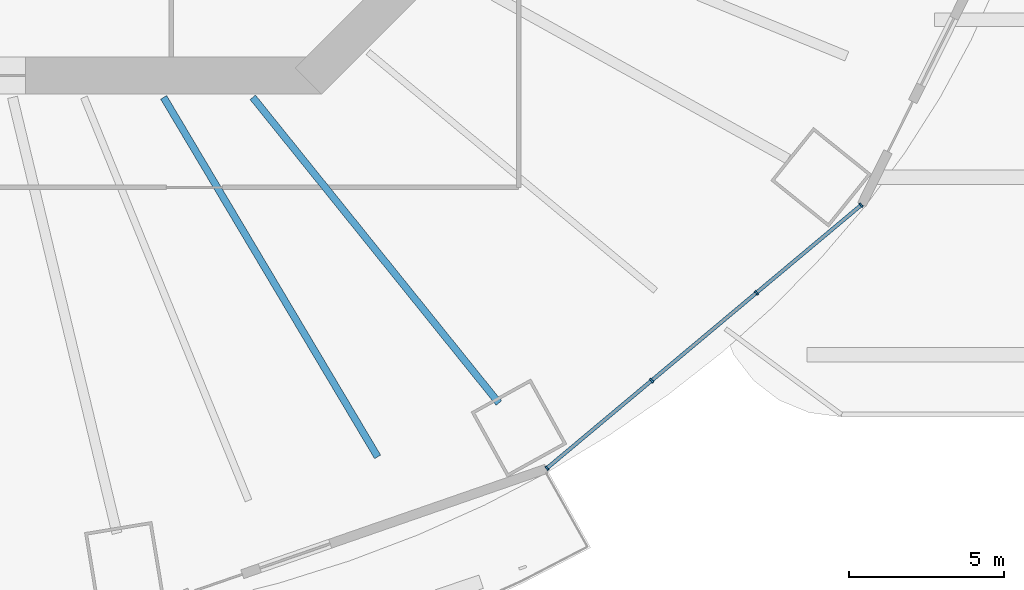
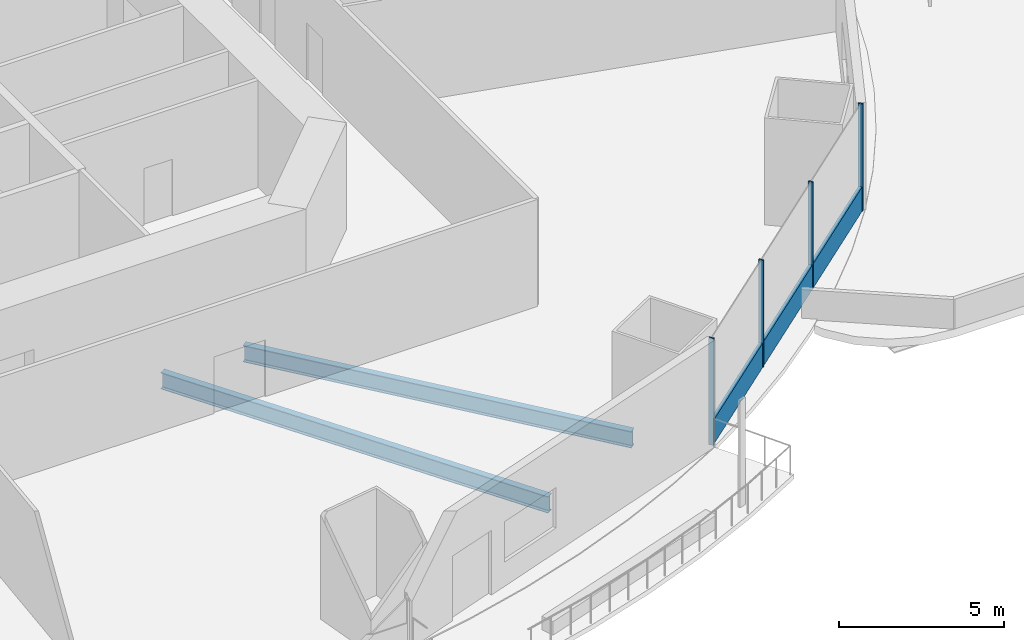
# One storey, part 11 of 27: 5 members, 2 beams, 1 element without a shape of its own.
"""IFC4 building model written with IfcOpenShell, lengths in metres."""

import ifcopenshell
import ifcopenshell.guid

model = None  # the IFC model being written
_history = None  # IfcOwnerHistory: only IFC2X3 demands one
_inside = {}  # id of a spatial element -> (the spatial element, [elements in it])
_under = {}  # id of a project, library or spatial element -> (it, [spatial elements below it])
_declared = {}  # id of a project -> (the project, [libraries it declares])
_typed = {}  # id of a type object -> (the type object, [elements of that type])
_made_of = {}  # id of a material, layer set ... -> (it, [elements and type objects made of it])


def new_model(schema):
    """Start an empty IFC model of exactly this schema.

    Asked for "IFC4X3", IfcOpenShell would pick the latest addendum, in which some entities
    have other attributes; the version numbers below select the first issue.
    IFC2X3 requires an IfcOwnerHistory on every rooted entity: one is made here for all.
    """
    global model, _history
    if schema == "IFC4X3":
        model = ifcopenshell.file(schema_version=(4, 3, 0, 0))
    else:
        model = ifcopenshell.file(schema=schema)
    _inside.clear()
    _under.clear()
    _declared.clear()
    _typed.clear()
    _made_of.clear()
    _history = None
    if model.schema == "IFC2X3":
        org = make("IfcOrganization", Name="unknown")
        user = make(
            "IfcPersonAndOrganization",
            ThePerson=make("IfcPerson", FamilyName="unknown"),
            TheOrganization=org,
        )
        app = make(
            "IfcApplication",
            ApplicationDeveloper=org,
            Version="unknown",
            ApplicationFullName="unknown",
            ApplicationIdentifier="unknown",
        )
        _history = make(
            "IfcOwnerHistory",
            OwningUser=user,
            OwningApplication=app,
            ChangeAction="ADDED",
            CreationDate=0,
        )
    return model


def make(cls, **values):
    """One entity of the class cls with the attributes given. An attribute that is None is left unset."""
    return model.create_entity(
        cls, **{name: value for name, value in values.items() if value is not None}
    )


def rooted(cls, **values):
    """An entity with a GlobalId (a new one), such as an element, a storey or a relation."""
    return make(cls, GlobalId=ifcopenshell.guid.new(), OwnerHistory=_history, **values)


def si_unit(unit_type, name, prefix=None):
    """IfcSIUnit, for example si_unit("LENGTHUNIT", "METRE", prefix="MILLI")."""
    return make("IfcSIUnit", UnitType=unit_type, Prefix=prefix, Name=name)


def assignment(units):
    """IfcUnitAssignment: the units of a project."""
    return None if units is None else make("IfcUnitAssignment", Units=units)


def point(xyz):
    """IfcCartesianPoint."""
    return None if xyz is None else make("IfcCartesianPoint", Coordinates=xyz)


def direction(xyz):
    """IfcDirection."""
    return None if xyz is None else make("IfcDirection", DirectionRatios=xyz)


def frame(location, z_axis=None, x_axis=None):
    """IfcAxis2Placement3D, a coordinate frame: its origin and axes. An axis left out is left unset."""
    return make(
        "IfcAxis2Placement3D",
        Location=point(location),
        Axis=direction(z_axis),
        RefDirection=direction(x_axis),
    )


def frame_2d(location, x_axis=None):
    """IfcAxis2Placement2D, a coordinate frame in the plane: its origin and x axis."""
    return make(
        "IfcAxis2Placement2D", Location=point(location), RefDirection=direction(x_axis)
    )


def origin():
    """The frame at (0, 0, 0) with its axes left unset."""
    return frame((0.0, 0.0, 0.0))


def origin_2d():
    """The frame at (0, 0) in the plane with its x axis left unset."""
    return frame_2d((0.0, 0.0))


def place(relative_to, where):
    """IfcLocalPlacement: puts the frame where relative to a parent placement (None: the world)."""
    return make(
        "IfcLocalPlacement", PlacementRelTo=relative_to, RelativePlacement=where
    )


def context(
    kind, dimensions, precision=None, world=None, true_north=None, identifier=None
):
    """IfcGeometricRepresentationContext, for example the 3D "Model" context."""
    return make(
        "IfcGeometricRepresentationContext",
        ContextIdentifier=identifier,
        ContextType=kind,
        CoordinateSpaceDimension=dimensions,
        Precision=precision,
        WorldCoordinateSystem=world,
        TrueNorth=true_north,
    )


def subcontext(parent, identifier, kind, view, scale=None):
    """IfcGeometricRepresentationSubContext, for example "Body" below "Model"."""
    return make(
        "IfcGeometricRepresentationSubContext",
        ContextIdentifier=identifier,
        ContextType=kind,
        ParentContext=parent,
        TargetScale=scale,
        TargetView=view,
    )


def project(units=None, contexts=None):
    """IfcProject with its units and contexts."""
    return rooted(
        "IfcProject",
        Name="project",
        RepresentationContexts=contexts,
        UnitsInContext=assignment(units),
    )


def spatial(cls, under=None, at=None, **own):
    """A site, building, storey or space (cls), placed at a placement, below another one or the project."""
    s = rooted(cls, ObjectPlacement=at, **own)
    if under is not None:
        _under.setdefault(under.id(), (under, []))[1].append(s)
    return s


def profile(cls, at=None, kind="AREA", **sizes):
    """A parametric profile (cls). Its sizes go by their IFC names, for example OverallWidth=200.0."""
    return make(cls, ProfileType=kind, Position=at, **sizes)


def rectangle(**sizes):
    """IfcRectangleProfileDef."""
    return profile("IfcRectangleProfileDef", **sizes)


def i_section(**sizes):
    """IfcIShapeProfileDef."""
    return profile("IfcIShapeProfileDef", **sizes)


def extrude(swept, where, along, depth):
    """IfcExtrudedAreaSolid: the profile swept, set in the frame where, extruded along a direction by depth."""
    return make(
        "IfcExtrudedAreaSolid",
        SweptArea=swept,
        Position=where,
        ExtrudedDirection=direction(along),
        Depth=depth,
    )


def shape(context_of_items, identifier, shape_type, items):
    """IfcShapeRepresentation: the items that make up one representation, for example the "Body"."""
    return make(
        "IfcShapeRepresentation",
        ContextOfItems=context_of_items,
        RepresentationIdentifier=identifier,
        RepresentationType=shape_type,
        Items=items,
    )


def material(Name=None, Category=None):
    """IfcMaterial."""
    return make("IfcMaterial", Name=Name, Category=Category)


def material_profile(
    of_material, cross_section, Name=None, Category=None, Priority=None
):
    """IfcMaterialProfile: a cross section and its material."""
    return make(
        "IfcMaterialProfile",
        Name=Name,
        Material=of_material,
        Profile=cross_section,
        Priority=Priority,
        Category=Category,
    )


def profile_set(profiles, Name=None, composite=None):
    """IfcMaterialProfileSet."""
    return make(
        "IfcMaterialProfileSet",
        Name=Name,
        MaterialProfiles=profiles,
        CompositeProfile=composite,
    )


def made_of(thing, what):
    """Note that an element or type object is made of a material, layer set ...; save() writes the relation."""
    if what is not None:
        _made_of.setdefault(what.id(), (what, []))[1].append(thing)
    return thing


def type_object(cls, material=None, **own):
    """A type object (cls), such as IfcWallType, which elements share."""
    return made_of(rooted(cls, **own), material)


def element(
    cls,
    number,
    at=None,
    inside=None,
    cuts=None,
    type_object=None,
    material=None,
    context=None,
    identifier="Body",
    shape_type=None,
    held_by="IfcProductDefinitionShape",
    body=None,
    shapes=None,
    **own,
):
    """One element of the class cls, such as IfcWall. Its Tag is "e" and its number.

    at: its placement. inside: the storey or other place that contains it. cuts: it is an
    opening in that element (IfcRelVoidsElement). A single representation is given by context,
    identifier, shape_type and body (its items); several are given by shapes. held_by: the class
    of the entity that holds the representations. save() writes the other relations.
    """
    e = rooted(cls, Tag="e%d" % number, ObjectPlacement=at, **own)
    if body is not None:
        shapes = [shape(context, identifier, shape_type, body)]
    if shapes is not None:
        e.Representation = make(held_by, Representations=shapes)
    if inside is not None:
        _inside.setdefault(inside.id(), (inside, []))[1].append(e)
    if cuts is not None:
        rooted(
            "IfcRelVoidsElement", RelatingBuildingElement=cuts, RelatedOpeningElement=e
        )
    if type_object is not None:
        _typed.setdefault(type_object.id(), (type_object, []))[1].append(e)
    return made_of(e, material)


def aggregate(whole, parts):
    """IfcRelAggregates: a whole, such as a stair, and the parts it consists of."""
    return rooted("IfcRelAggregates", RelatingObject=whole, RelatedObjects=parts)


def save(model, path):
    """Write the relations noted so far, then the file.

    IfcRelAggregates (storeys below a building ...), IfcRelContainedInSpatialStructure (elements
    in a storey), IfcRelDefinesByType, IfcRelAssociatesMaterial and IfcRelDeclares: one each for
    every whole, place, type object, material and project.
    """
    for whole, parts in _under.values():
        aggregate(whole, parts)
    for where, things in _inside.values():
        rooted(
            "IfcRelContainedInSpatialStructure",
            RelatedElements=things,
            RelatingStructure=where,
        )
    for kind, things in _typed.values():
        rooted("IfcRelDefinesByType", RelatedObjects=things, RelatingType=kind)
    for what, things in _made_of.values():
        rooted("IfcRelAssociatesMaterial", RelatedObjects=things, RelatingMaterial=what)
    for by, libraries in _declared.values():
        rooted("IfcRelDeclares", RelatingContext=by, RelatedDefinitions=libraries)
    model.write(path)


model = new_model("IFC4")

# Units and contexts
model_context = context("Model", 3, precision=1e-05, world=origin(), true_north=direction((0.0, 1.0)))
body_context = subcontext(model_context, "Body", "Model", "MODEL_VIEW")
ifc_project = project(units=[si_unit("LENGTHUNIT", "METRE"), si_unit("AREAUNIT", "SQUARE_METRE"), si_unit("VOLUMEUNIT", "CUBIC_METRE"), si_unit("PLANEANGLEUNIT", "RADIAN"), si_unit("MASSUNIT", "GRAM", prefix="KILO")], contexts=[model_context])

# Site, building, storey
site_placement = place(None, origin())
site = spatial("IfcSite", under=ifc_project, at=site_placement, CompositionType="ELEMENT")
building_placement = place(site_placement, origin())
building = spatial("IfcBuilding", under=site, at=building_placement, Name="Marenthal Gate Tower", CompositionType="ELEMENT")
storey_placement = place(building_placement, frame((0.0, 0.0, 33.0)))
storey = spatial("IfcBuildingStorey", under=building, at=storey_placement, Name="L04", CompositionType="ELEMENT", Elevation=33.0)

# Curtain wall, members
ifc_material_1 = material(Name="Aluminium and glass", Category="aluminium")
curtain_wall_type = type_object("IfcCurtainWallType", Name="Curtain wall typical low", PredefinedType="NOTDEFINED", material=ifc_material_1)
curtain_wall_placement = place(storey_placement, origin())
curtain_wall = element("IfcCurtainWall", 1, at=curtain_wall_placement, inside=storey, type_object=curtain_wall_type, Name="Curtain wall L04 bay 14", PredefinedType="NOTDEFINED")
ifc_material_2 = material(Name="Aluminium", Category="aluminium")
ifc_material_profile_1 = material_profile(ifc_material_2, rectangle(XDim=0.159912109375, YDim=0.06005859375, at=origin_2d()), Name="60x160 aluminium mullion")
ifc_profile_set_1 = profile_set([ifc_material_profile_1], Name="Aluminium")
member_type_1 = type_object("IfcMemberType", Name="Mullion 60x160 typical low", PredefinedType="MULLION", material=ifc_profile_set_1)
member_1_placement = place(storey_placement, frame((20.512451171875, -25.656494140625, 0.0), z_axis=(0.0, 0.0, 1.0), x_axis=(-0.641982192245, 0.76671954771, 0.0)))
member_1 = element("IfcMember", 2, at=member_1_placement, type_object=member_type_1, Name="Mullion L04 bay 14.1", PredefinedType="MULLION", context=body_context, shape_type="SweptSolid", body=[
    extrude(rectangle(XDim=0.159912109375, YDim=0.06005859375, at=origin_2d()), origin(), (0.0, 0.0, 1.0), 3.969970703125),
])
member_2_placement = place(storey_placement, frame((23.888916015625, -22.829345703125, 0.0), z_axis=(0.0, 0.0, 1.0), x_axis=(-0.641982192245, 0.76671954771, 0.0)))
member_2 = element("IfcMember", 3, at=member_2_placement, type_object=member_type_1, Name="Mullion L04 bay 14.2", PredefinedType="MULLION", context=body_context, shape_type="SweptSolid", body=[
    extrude(rectangle(XDim=0.159912109375, YDim=0.06005859375, at=origin_2d()), origin(), (0.0, 0.0, 1.0), 3.969970703125),
])
member_3_placement = place(storey_placement, frame((27.26513671875, -20.00244140625, 0.0), z_axis=(0.0, 0.0, 1.0), x_axis=(-0.641982192245, 0.76671954771, 0.0)))
member_3 = element("IfcMember", 4, at=member_3_placement, type_object=member_type_1, Name="Mullion L04 bay 14.3", PredefinedType="MULLION", context=body_context, shape_type="SweptSolid", body=[
    extrude(rectangle(XDim=0.159912109375, YDim=0.06005859375, at=origin_2d()), origin(), (0.0, 0.0, 1.0), 3.969970703125),
])
member_4_placement = place(storey_placement, frame((30.6416015625, -17.17529296875, 0.0), z_axis=(0.0, 0.0, 1.0), x_axis=(-0.641982192245, 0.76671954771, 0.0)))
member_4 = element("IfcMember", 5, at=member_4_placement, type_object=member_type_1, Name="Mullion L04 bay 14.4", PredefinedType="MULLION", context=body_context, shape_type="SweptSolid", body=[
    extrude(rectangle(XDim=0.159912109375, YDim=0.06005859375, at=origin_2d()), origin(), (0.0, 0.0, 1.0), 3.969970703125),
])
ifc_material_3 = material(Name="Aluminium", Category="aluminium")
ifc_material_profile_2 = material_profile(ifc_material_3, rectangle(XDim=0.1201171875, YDim=0.89990234375, at=origin_2d()), Name="120x900 aluminium transom")
ifc_profile_set_2 = profile_set([ifc_material_profile_2], Name="Aluminium")
member_type_2 = type_object("IfcMemberType", Name="Transom 120x900 typical low", PredefinedType="USERDEFINED", material=ifc_profile_set_2)
member_5_placement = place(storey_placement, frame((20.535400390625, -25.63720703125, 0.449951171875), z_axis=(0.766726434385, 0.641973967397, 0.0), x_axis=(-0.641973967397, 0.766726434385, 0.0)))
member_5 = element("IfcMember", 6, at=member_5_placement, type_object=member_type_2, Name="Transom L04 bay 14", ObjectType="TRANSOM", PredefinedType="USERDEFINED", context=body_context, shape_type="SweptSolid", body=[
    extrude(rectangle(XDim=0.1201171875, YDim=0.89990234375, at=origin_2d()), origin(), (0.0, 0.0, 1.0), 13.151123046875),
])
aggregate(curtain_wall, [member_1, member_2, member_3, member_4, member_5])

# Beams
ifc_material_4 = material(Name="Steel S355", Category="steel")
ifc_material_profile_3 = material_profile(ifc_material_4, i_section(OverallWidth=0.22900390625, OverallDepth=0.612060546875, WebThickness=0.011962890625, FlangeThickness=0.01953125, FilletRadius=0.0126953125, at=origin_2d()), Name="W610X125")
ifc_profile_set_3 = profile_set([ifc_material_profile_3], Name="Steel S355")
beam_type = type_object("IfcBeamType", Name="W610X125 beam", PredefinedType="BEAM", material=ifc_profile_set_3)
beam_1_placement = place(storey_placement, frame((18.962646484375, -23.555908203125, -0.486083984375), z_axis=(-0.627068808797, 0.778963868889, 0.0), x_axis=(-0.778963868889, -0.627068808797, 0.0)))
element("IfcBeam", 7, at=beam_1_placement, inside=storey, type_object=beam_type, Name="BM-L04-14", PredefinedType="BEAM", context=body_context, shape_type="SweptSolid", body=[
    extrude(i_section(OverallWidth=0.22900390625, OverallDepth=0.612060546875, WebThickness=0.011962890625, FlangeThickness=0.01953125, FilletRadius=0.0126953125, at=origin_2d()), origin(), (0.0, 0.0, 1.0), 12.652587890625),
])
beam_2_placement = place(storey_placement, frame((15.05419921875, -25.2900390625, -0.486083984375), z_axis=(-0.51150072514, 0.859282845273, 0.0), x_axis=(-0.859282845273, -0.51150072514, 0.0)))
element("IfcBeam", 8, at=beam_2_placement, inside=storey, type_object=beam_type, Name="BM-L04-36", PredefinedType="BEAM", context=body_context, shape_type="SweptSolid", body=[
    extrude(i_section(OverallWidth=0.22900390625, OverallDepth=0.612060546875, WebThickness=0.011962890625, FlangeThickness=0.01953125, FilletRadius=0.0126953125, at=origin_2d()), origin(), (0.0, 0.0, 1.0), 13.488037109375),
])

save(model, "model.ifc")
